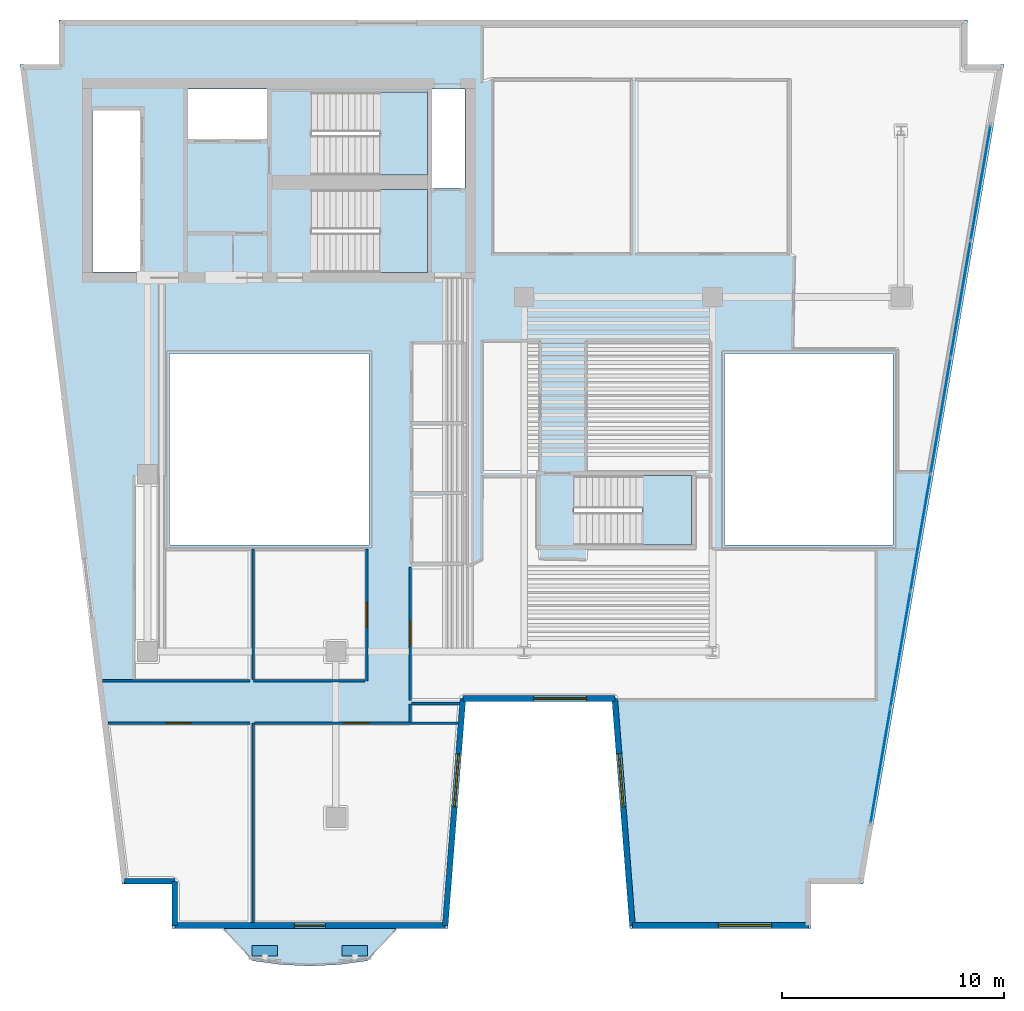
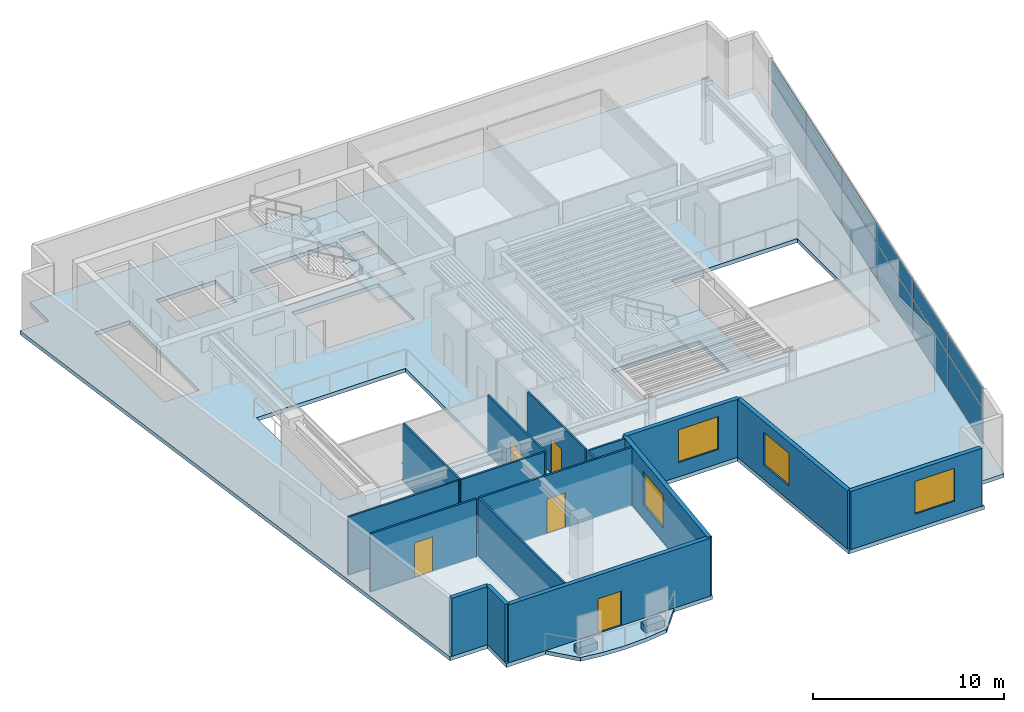
# One storey, part 3 of 9: 17 walls, 14 plates, 5 doors, 5 slabs, 4 windows, 9 openings, 4 elements without a shape of their own.
"""IFC4 building model written with IfcOpenShell, lengths in metres."""

from ifc_helpers import new_model, si_unit, direction, frame, frame_2d, origin, origin_2d, place, context, subcontext, project, spatial, polyline, rectangle, outline, extrude, material, layer, layer_set, type_object, element, fill, aggregate, save


model = new_model("IFC4")

# Units and contexts
model_context = context("Model", 3, precision=1e-05, world=origin(), true_north=direction((0.0, 1.0)))
body_context = subcontext(model_context, "Body", "Model", "MODEL_VIEW")
ifc_project = project(units=[si_unit("LENGTHUNIT", "METRE"), si_unit("AREAUNIT", "SQUARE_METRE"), si_unit("VOLUMEUNIT", "CUBIC_METRE"), si_unit("PLANEANGLEUNIT", "RADIAN"), si_unit("MASSUNIT", "GRAM", prefix="KILO")], contexts=[model_context])

# Site, building, storey
site_placement = place(None, origin())
site = spatial("IfcSite", under=ifc_project, at=site_placement, CompositionType="ELEMENT")
building_placement = place(site_placement, origin())
building = spatial("IfcBuilding", under=site, at=building_placement, Name="Caeloran Harvest Quay", CompositionType="ELEMENT")
storey_placement = place(building_placement, frame((0.0, 0.0, 203.5)))
storey = spatial("IfcBuildingStorey", under=building, at=storey_placement, Name="L48", CompositionType="ELEMENT", Elevation=203.5)

# Slab
ifc_material_1 = material(Name="Concrete C50/60", Category="concrete")
ifc_layer_1 = layer(ifc_material_1, 0.239990234375, Name="Concrete C50/60")
ifc_layer_set_1 = layer_set([ifc_layer_1], Name="Concrete C50/60")
slab_type_1 = type_object("IfcSlabType", Name="BALCONY-BL-240", PredefinedType="FLOOR", material=ifc_layer_set_1)
slab_1_placement = place(storey_placement, frame((0.0, 0.0, -0.239990234375)))
element("IfcSlab", 1, at=slab_1_placement, inside=storey, type_object=slab_type_1, Name="L48 Scalloped Cantilevered Planted Balcony Slab", PredefinedType="FLOOR", context=body_context, shape_type="SweptSolid", body=[
    extrude(outline(polyline([(18.43798828125, 1.04345703125), (17.136474609375, 0.8701171875), (15.834716796875, 0.806884765625), (14.533203125, 0.8701171875), (13.2314453125, 1.04345703125), (11.947509765625, 2.5), (19.72216796875, 2.5), (18.43798828125, 1.04345703125)])), origin(), (0.0, 0.0, 1.0), 0.239990234375),
])

# Curtain wall, plates
ifc_material_2 = material(Name="Aluminium 6063-T6 and Low-E Glazing", Category="aluminium")
ifc_layer_2 = layer(ifc_material_2, 0.2099609375, Name="Aluminium 6063-T6 and Low-E Glazing")
ifc_layer_set_2 = layer_set([ifc_layer_2], Name="Aluminium 6063-T6 and Low-E Glazing")
curtain_wall_type = type_object("IfcCurtainWallType", Name="CW-SYS-CW-4", PredefinedType="USERDEFINED", material=ifc_layer_set_2)
curtain_wall_placement = place(storey_placement, origin())
curtain_wall = element("IfcCurtainWall", 2, at=curtain_wall_placement, inside=storey, type_object=curtain_wall_type, Name="L48 Unitised Curtain Wall CW-4 Run 9", ObjectType="CURTAIN_WALL", PredefinedType="USERDEFINED")
ifc_material_3 = material(Name="Low-E Double Glazed Vision Glass Unit", Category="glass")
ifc_layer_3 = layer(ifc_material_3, 0.035888671875, Name="Low-E Double Glazed Vision Glass Unit")
ifc_layer_set_3 = layer_set([ifc_layer_3], Name="Low-E Double Glazed Vision Glass Unit")
plate_type_1 = type_object("IfcPlateType", Name="CW-VISION-PANEL", PredefinedType="CURTAIN_PANEL", material=ifc_layer_set_3)
plate_1_placement = place(storey_placement, frame((46.105224609375, 36.1533203125, 0.080078125), z_axis=(0.0, 0.0, 1.0), x_axis=(-0.169392351048, -0.985548695604, 0.0)))
plate_1 = element("IfcPlate", 3, at=plate_1_placement, type_object=plate_type_1, Name="CW-4 panel 1.1", PredefinedType="CURTAIN_PANEL", context=body_context, shape_type="SweptSolid", body=[
    extrude(rectangle(XDim=5.2265625, YDim=0.035888671875, at=origin_2d()), origin(), (0.0, 0.0, 1.0), 2.280029296875),
])
plate_2_placement = place(storey_placement, frame((46.105224609375, 36.1533203125, 2.43994140625), z_axis=(0.0, 0.0, 1.0), x_axis=(-0.169392351048, -0.985548695604, 0.0)))
plate_2 = element("IfcPlate", 4, at=plate_2_placement, type_object=plate_type_1, Name="CW-4 panel 1.2", PredefinedType="CURTAIN_PANEL", context=body_context, shape_type="SweptSolid", body=[
    extrude(rectangle(XDim=5.2265625, YDim=0.035888671875, at=origin_2d()), origin(), (0.0, 0.0, 1.0), 1.179931640625),
])
plate_3_placement = place(storey_placement, frame((45.203125, 30.90380859375, 0.080078125), z_axis=(0.0, 0.0, 1.0), x_axis=(-0.169392351048, -0.985548695604, 0.0)))
plate_3 = element("IfcPlate", 5, at=plate_3_placement, type_object=plate_type_1, Name="CW-4 panel 2.1", PredefinedType="CURTAIN_PANEL", context=body_context, shape_type="SweptSolid", body=[
    extrude(rectangle(XDim=5.266357421875, YDim=0.035888671875, at=origin_2d()), origin(), (0.0, 0.0, 1.0), 2.280029296875),
])
plate_4_placement = place(storey_placement, frame((45.203125, 30.90380859375, 2.43994140625), z_axis=(0.0, 0.0, 1.0), x_axis=(-0.169392351048, -0.985548695604, 0.0)))
plate_4 = element("IfcPlate", 6, at=plate_4_placement, type_object=plate_type_1, Name="CW-4 panel 2.2", PredefinedType="CURTAIN_PANEL", context=body_context, shape_type="SweptSolid", body=[
    extrude(rectangle(XDim=5.266357421875, YDim=0.035888671875, at=origin_2d()), origin(), (0.0, 0.0, 1.0), 1.179931640625),
])
plate_5_placement = place(storey_placement, frame((44.29736328125, 25.634521484375, 0.080078125), z_axis=(0.0, 0.0, 1.0), x_axis=(-0.169392351048, -0.985548695604, 0.0)))
plate_5 = element("IfcPlate", 7, at=plate_5_placement, type_object=plate_type_1, Name="CW-4 panel 3.1", PredefinedType="CURTAIN_PANEL", context=body_context, shape_type="SweptSolid", body=[
    extrude(rectangle(XDim=5.266357421875, YDim=0.035888671875, at=origin_2d()), origin(), (0.0, 0.0, 1.0), 2.280029296875),
])
plate_6_placement = place(storey_placement, frame((44.29736328125, 25.634521484375, 2.43994140625), z_axis=(0.0, 0.0, 1.0), x_axis=(-0.169392351048, -0.985548695604, 0.0)))
plate_6 = element("IfcPlate", 8, at=plate_6_placement, type_object=plate_type_1, Name="CW-4 panel 3.2", PredefinedType="CURTAIN_PANEL", context=body_context, shape_type="SweptSolid", body=[
    extrude(rectangle(XDim=5.266357421875, YDim=0.035888671875, at=origin_2d()), origin(), (0.0, 0.0, 1.0), 1.179931640625),
])
plate_7_placement = place(storey_placement, frame((43.391845703125, 20.365478515625, 0.080078125), z_axis=(0.0, 0.0, 1.0), x_axis=(-0.169392351048, -0.985548695604, 0.0)))
plate_7 = element("IfcPlate", 9, at=plate_7_placement, type_object=plate_type_1, Name="CW-4 panel 4.1", PredefinedType="CURTAIN_PANEL", context=body_context, shape_type="SweptSolid", body=[
    extrude(rectangle(XDim=5.266357421875, YDim=0.035888671875, at=origin_2d()), origin(), (0.0, 0.0, 1.0), 2.280029296875),
])
plate_8_placement = place(storey_placement, frame((43.391845703125, 20.365478515625, 2.43994140625), z_axis=(0.0, 0.0, 1.0), x_axis=(-0.169392351048, -0.985548695604, 0.0)))
plate_8 = element("IfcPlate", 10, at=plate_8_placement, type_object=plate_type_1, Name="CW-4 panel 4.2", PredefinedType="CURTAIN_PANEL", context=body_context, shape_type="SweptSolid", body=[
    extrude(rectangle(XDim=5.266357421875, YDim=0.035888671875, at=origin_2d()), origin(), (0.0, 0.0, 1.0), 1.179931640625),
])
plate_9_placement = place(storey_placement, frame((42.486083984375, 15.09619140625, 0.080078125), z_axis=(0.0, 0.0, 1.0), x_axis=(-0.169392351048, -0.985548695604, 0.0)))
plate_9 = element("IfcPlate", 11, at=plate_9_placement, type_object=plate_type_1, Name="CW-4 panel 5.1", PredefinedType="CURTAIN_PANEL", context=body_context, shape_type="SweptSolid", body=[
    extrude(rectangle(XDim=5.266357421875, YDim=0.035888671875, at=origin_2d()), origin(), (0.0, 0.0, 1.0), 2.280029296875),
])
plate_10_placement = place(storey_placement, frame((42.486083984375, 15.09619140625, 2.43994140625), z_axis=(0.0, 0.0, 1.0), x_axis=(-0.169392351048, -0.985548695604, 0.0)))
plate_10 = element("IfcPlate", 12, at=plate_10_placement, type_object=plate_type_1, Name="CW-4 panel 5.2", PredefinedType="CURTAIN_PANEL", context=body_context, shape_type="SweptSolid", body=[
    extrude(rectangle(XDim=5.266357421875, YDim=0.035888671875, at=origin_2d()), origin(), (0.0, 0.0, 1.0), 1.179931640625),
])
plate_11_placement = place(storey_placement, frame((41.583740234375, 9.8466796875, 0.080078125), z_axis=(0.0, 0.0, 1.0), x_axis=(-0.169392351048, -0.985548695604, 0.0)))
plate_11 = element("IfcPlate", 13, at=plate_11_placement, type_object=plate_type_1, Name="CW-4 panel 6.1", PredefinedType="CURTAIN_PANEL", context=body_context, shape_type="SweptSolid", body=[
    extrude(rectangle(XDim=5.2265625, YDim=0.035888671875, at=origin_2d()), origin(), (0.0, 0.0, 1.0), 2.280029296875),
])
plate_12_placement = place(storey_placement, frame((41.583740234375, 9.8466796875, 2.43994140625), z_axis=(0.0, 0.0, 1.0), x_axis=(-0.169392351048, -0.985548695604, 0.0)))
plate_12 = element("IfcPlate", 14, at=plate_12_placement, type_object=plate_type_1, Name="CW-4 panel 6.2", PredefinedType="CURTAIN_PANEL", context=body_context, shape_type="SweptSolid", body=[
    extrude(rectangle(XDim=5.2265625, YDim=0.035888671875, at=origin_2d()), origin(), (0.0, 0.0, 1.0), 1.179931640625),
])
aggregate(curtain_wall, [plate_1, plate_2, plate_3, plate_4, plate_5, plate_6, plate_7, plate_8, plate_9, plate_10, plate_11, plate_12])

# Plates
ifc_material_4 = material(Name="Precast concrete C50/60", Category="concrete")
ifc_layer_4 = layer(ifc_material_4, 0.449951171875, Name="Precast concrete C50/60")
ifc_layer_set_4 = layer_set([ifc_layer_4], Name="Precast concrete C50/60")
plate_type_2 = type_object("IfcPlateType", Name="PLANTER-TROUGH-450", PredefinedType="USERDEFINED", material=ifc_layer_set_4)
for number, where, z_axis, x_axis, name in (
    (15, (17.865478515625, 1.49951171875, 0.0), (0.0, 0.0, 1.0), (1.0, 0.0, 0.0), "L48 Balcony Vertical-Greenery Precast PLANTER Trough 1"),
    (16, (13.80419921875, 1.49951171875, 0.0), (0.0, 0.0, 1.0), (1.0, 0.0, 0.0), "L48 Balcony Vertical-Greenery Precast PLANTER Trough 2"),
):
    element("IfcPlate", number, at=place(storey_placement, frame(where, z_axis=z_axis, x_axis=x_axis)), inside=storey, type_object=plate_type_2, Name=name, ObjectType="PLANTER", PredefinedType="USERDEFINED", context=body_context, shape_type="SweptSolid", body=[
        extrude(rectangle(XDim=1.14990234375, YDim=0.47998046875, at=origin_2d()), origin(), (0.0, 0.0, 1.0), 0.449951171875),
    ])

# Slab
ifc_layer_5 = layer(ifc_material_1, 0.25, Name="Concrete C50/60")
ifc_layer_set_5 = layer_set([ifc_layer_5], Name="Concrete C50/60")
slab_type_2 = type_object("IfcSlabType", Name="SLAB-FS-250", PredefinedType="FLOOR", material=ifc_layer_set_5)
slab_2_placement = place(storey_placement, frame((0.0, 0.0, -0.25)))
element("IfcSlab", 17, at=slab_2_placement, inside=storey, type_object=slab_type_2, Name="L48 Structural Floor Slab", PredefinedType="FLOOR", context=body_context, shape_type="SweptSolid", body=[
    extrude(outline(polyline([(9.60302734375, 2.5), (22.056884765625, 2.5), (22.85693359375, 12.75), (29.469482421875, 12.75), (30.26953125, 2.5), (38.452880859375, 2.5), (38.452880859375, 4.5), (40.796875, 4.5), (47.15625, 41.5), (45.5, 41.5), (45.5, 43.5), (4.5, 43.5), (4.5, 41.5), (2.748779296875, 41.5), (7.35400390625, 4.5), (9.60302734375, 4.5), (9.60302734375, 2.5)]), holes=[polyline([(27.75, 19.800048828125), (27.75, 22.949951171875), (33.050048828125, 22.949951171875), (33.050048828125, 19.800048828125), (27.75, 19.800048828125)]), polyline([(18.5, 19.800048828125), (9.5, 19.800048828125), (9.5, 28.449951171875), (18.5, 28.449951171875), (18.5, 19.800048828125)]), polyline([(42.14990234375, 19.800048828125), (34.550048828125, 19.800048828125), (34.550048828125, 28.449951171875), (42.14990234375, 28.449951171875), (42.14990234375, 19.800048828125)]), polyline([(15.89990234375, 32.10009765625), (15.89990234375, 35.85009765625), (21.14990234375, 35.85009765625), (21.14990234375, 32.10009765625), (15.89990234375, 32.10009765625)]), polyline([(8.159912109375, 32.1201171875), (6.02001953125, 32.1201171875), (6.02001953125, 39.419921875), (8.159912109375, 39.419921875), (8.159912109375, 32.1201171875)]), polyline([(22.830078125, 35.919921875), (21.35009765625, 35.919921875), (21.35009765625, 40.3798828125), (22.830078125, 40.3798828125), (22.830078125, 35.919921875)]), polyline([(15.89990234375, 36.5), (15.89990234375, 40.25), (21.14990234375, 40.25), (21.14990234375, 36.5), (15.89990234375, 36.5)]), polyline([(13.89990234375, 38.1201171875), (10.320068359375, 38.1201171875), (10.320068359375, 40.3798828125), (13.89990234375, 40.3798828125), (13.89990234375, 38.1201171875)])]), origin(), (0.0, 0.0, 1.0), 0.25),
])

# Stair, slab
stair_type_1 = type_object("IfcStairType", Name="STAIR-STC-180", PredefinedType="HALF_TURN_STAIR", material=ifc_material_1)
stair_1_placement = place(storey_placement, origin())
stair_1 = element("IfcStair", 18, at=stair_1_placement, inside=storey, type_object=stair_type_1, Name="L48 Core Pressurized Exit Stair ST-C1", PredefinedType="HALF_TURN_STAIR")
ifc_layer_6 = layer(ifc_material_1, 0.219970703125, Name="Concrete C50/60")
ifc_layer_set_6 = layer_set([ifc_layer_6], Name="Concrete C50/60")
slab_type_3 = type_object("IfcSlabType", Name="STAIR-LANDING-220", PredefinedType="LANDING", material=ifc_layer_set_6)
slab_3_placement = place(storey_placement, frame((0.0, 0.0, 1.77490234375)))
slab_3 = element("IfcSlab", 19, at=slab_3_placement, type_object=slab_type_3, Name="ST-C1 landing 1", PredefinedType="LANDING", context=body_context, shape_type="SweptSolid", body=[
    extrude(outline(polyline([(18.97998046875, 36.5), (21.14990234375, 36.5), (21.14990234375, 40.25), (18.97998046875, 40.25), (18.97998046875, 36.5)])), origin(), (0.0, 0.0, 1.0), 0.2001953125),
])
aggregate(stair_1, [slab_3])

stair_2_placement = place(storey_placement, origin())
stair_2 = element("IfcStair", 20, at=stair_2_placement, inside=storey, type_object=stair_type_1, Name="L48 Core Pressurized Exit Stair ST-C2", PredefinedType="HALF_TURN_STAIR")
slab_4_placement = place(storey_placement, frame((0.0, 0.0, 1.77490234375)))
slab_4 = element("IfcSlab", 21, at=slab_4_placement, type_object=slab_type_3, Name="ST-C2 landing 1", PredefinedType="LANDING", context=body_context, shape_type="SweptSolid", body=[
    extrude(outline(polyline([(18.97998046875, 32.10009765625), (21.14990234375, 32.10009765625), (21.14990234375, 35.85009765625), (18.97998046875, 35.85009765625), (18.97998046875, 32.10009765625)])), origin(), (0.0, 0.0, 1.0), 0.2001953125),
])
aggregate(stair_2, [slab_4])

stair_type_2 = type_object("IfcStairType", Name="STAIR-STW-150", PredefinedType="HALF_TURN_STAIR", material=ifc_material_1)
stair_3_placement = place(storey_placement, origin())
stair_3 = element("IfcStair", 22, at=stair_3_placement, inside=storey, type_object=stair_type_2, Name="L48 East Wing Protected Exit Stair ST-W1", PredefinedType="HALF_TURN_STAIR")
slab_5_placement = place(storey_placement, frame((0.0, 0.0, 1.77490234375)))
slab_5 = element("IfcSlab", 23, at=slab_5_placement, type_object=slab_type_3, Name="ST-W1 landing 1", PredefinedType="LANDING", context=body_context, shape_type="SweptSolid", body=[
    extrude(outline(polyline([(30.830078125, 19.800048828125), (33.050048828125, 19.800048828125), (33.050048828125, 22.949951171875), (30.830078125, 22.949951171875), (30.830078125, 19.800048828125)])), origin(), (0.0, 0.0, 1.0), 0.2001953125),
])
aggregate(stair_3, [slab_5])

# Walls
ifc_layer_7 = layer(ifc_material_4, 0.260009765625, Name="Precast concrete C50/60")
ifc_layer_set_7 = layer_set([ifc_layer_7], Name="Precast concrete C50/60")
wall_type_1 = type_object("IfcWallType", Name="ENV-WALL-EW-260", PredefinedType="STANDARD", material=ifc_layer_set_7)
wall_1_placement = place(storey_placement, frame((9.73291015625, 2.6298828125, 0.0), z_axis=(0.0, 0.0, 1.0), x_axis=(0.0, 1.0, 0.0)))
element("IfcWall", 24, at=wall_1_placement, inside=storey, type_object=wall_type_1, Name="L48 Exterior Precast Concrete Facade Wall 1", PredefinedType="STANDARD", context=body_context, shape_type="SweptSolid", body=[
    extrude(rectangle(XDim=2.0, YDim=0.260009765625, at=frame_2d((1.0, 0.0))), origin(), (0.0, 0.0, 1.0), 3.699951171875),
])
wall_2_placement = place(storey_placement, frame((9.73291015625, 4.6298828125, 0.0), z_axis=(0.0, 0.0, 1.0), x_axis=(-1.0, 0.0, 0.0)))
element("IfcWall", 25, at=wall_2_placement, inside=storey, type_object=wall_type_1, Name="L48 Exterior Precast Concrete Facade Wall 2", PredefinedType="STANDARD", context=body_context, shape_type="SweptSolid", body=[
    extrude(rectangle(XDim=2.263916015625, YDim=0.260009765625, at=frame_2d((1.1318359375, 0.0))), origin(), (0.0, 0.0, 1.0), 3.699951171875),
])

# Wall, opening, window
wall_3_placement = place(storey_placement, frame((38.322998046875, 2.6298828125, 0.0), z_axis=(0.0, 0.0, 1.0), x_axis=(-1.0, 0.0, 0.0)))
wall_3 = element("IfcWall", 26, at=wall_3_placement, inside=storey, type_object=wall_type_1, Name="L48 Exterior Precast Concrete Facade Wall 12", PredefinedType="STANDARD", context=body_context, shape_type="SweptSolid", body=[
    extrude(rectangle(XDim=7.933349609375, YDim=0.260009765625, at=frame_2d((3.966796875, 0.0))), origin(), (0.0, 0.0, 1.0), 3.699951171875),
])
opening_1_placement = place(wall_3_placement, frame((1.656005859375, 0.0, 0.89990234375)))
opening_1 = element("IfcOpeningElement", 27, at=opening_1_placement, cuts=wall_3, Name="Opening W-02", PredefinedType="OPENING", context=body_context, shape_type="SweptSolid", body=[
    extrude(rectangle(XDim=2.39990234375, YDim=2.10009765625, at=frame_2d((1.199951171875, 1.050048828125))), frame((0.0, 0.14013671875, 0.0), z_axis=(0.0, -1.0, 0.0), x_axis=(1.0, 0.0, 0.0)), (0.0, 0.0, 1.0), 0.280029296875),
])
ifc_material_5 = material(Name="Aluminium-Framed Low-E Laminated Glass", Category="aluminium")
window_type = type_object("IfcWindowType", Name="WIN-W-02", PartitioningType="DOUBLE_PANEL_VERTICAL", PredefinedType="WINDOW", material=ifc_material_5)
window_1_placement = place(opening_1_placement, origin())
window_1 = element("IfcWindow", 28, at=window_1_placement, inside=storey, type_object=window_type, Name="L48 Facade Punched Window W-02", OverallHeight=2.10009765625, OverallWidth=2.39990234375, PartitioningType="DOUBLE_PANEL_VERTICAL", PredefinedType="WINDOW", context=body_context, shape_type="SweptSolid", body=[
    extrude(rectangle(XDim=2.39990234375, YDim=2.10009765625, at=frame_2d((1.199951171875, 1.050048828125))), frame((0.0, 0.030029296875, 0.0), z_axis=(0.0, -1.0, 0.0), x_axis=(1.0, 0.0, 0.0)), (0.0, 0.0, 1.0), 0.06005859375),
])
fill(opening_1, window_1)

wall_4_placement = place(storey_placement, frame((30.3896484375, 2.6298828125, 0.0), z_axis=(0.0, 0.0, 1.0), x_axis=(-0.077816860153, 0.996967670627, 0.0)))
wall_4 = element("IfcWall", 29, at=wall_4_placement, inside=storey, type_object=wall_type_1, Name="L48 Exterior Precast Concrete Facade Wall 13", PredefinedType="STANDARD", context=body_context, shape_type="SweptSolid", body=[
    extrude(rectangle(XDim=10.28125, YDim=0.260009765625, at=frame_2d((5.140625, 0.0))), origin(), (0.0, 0.0, 1.0), 3.699951171875),
])
opening_2_placement = place(wall_4_placement, frame((5.3798828125, 0.0, 0.89990234375)))
opening_2 = element("IfcOpeningElement", 30, at=opening_2_placement, cuts=wall_4, Name="Opening W-02", PredefinedType="OPENING", context=body_context, shape_type="SweptSolid", body=[
    extrude(rectangle(XDim=2.39990234375, YDim=2.10009765625, at=frame_2d((1.199951171875, 1.050048828125))), frame((0.0, 0.14013671875, 0.0), z_axis=(0.0, -1.0, 0.0), x_axis=(1.0, 0.0, 0.0)), (0.0, 0.0, 1.0), 0.280029296875),
])
window_2_placement = place(opening_2_placement, origin())
window_2 = element("IfcWindow", 31, at=window_2_placement, inside=storey, type_object=window_type, Name="L48 Facade Punched Window W-02", OverallHeight=2.10009765625, OverallWidth=2.39990234375, PartitioningType="DOUBLE_PANEL_VERTICAL", PredefinedType="WINDOW", context=body_context, shape_type="SweptSolid", body=[
    extrude(rectangle(XDim=2.39990234375, YDim=2.10009765625, at=frame_2d((1.199951171875, 1.050048828125))), frame((0.0, 0.030029296875, 0.0), z_axis=(0.0, -1.0, 0.0), x_axis=(1.0, 0.0, 0.0)), (0.0, 0.0, 1.0), 0.06005859375),
])
fill(opening_2, window_2)

wall_5_placement = place(storey_placement, frame((29.589599609375, 12.8798828125, 0.0), z_axis=(0.0, 0.0, 1.0), x_axis=(-1.0, 0.0, 0.0)))
wall_5 = element("IfcWall", 32, at=wall_5_placement, inside=storey, type_object=wall_type_1, Name="L48 Exterior Precast Concrete Facade Wall 14", PredefinedType="STANDARD", context=body_context, shape_type="SweptSolid", body=[
    extrude(rectangle(XDim=6.852783203125, YDim=0.260009765625, at=frame_2d((3.42626953125, 0.0))), origin(), (0.0, 0.0, 1.0), 3.699951171875),
])
opening_3_placement = place(wall_5_placement, frame((1.26708984375, 0.0, 0.89990234375)))
opening_3 = element("IfcOpeningElement", 33, at=opening_3_placement, cuts=wall_5, Name="Opening W-02", PredefinedType="OPENING", context=body_context, shape_type="SweptSolid", body=[
    extrude(rectangle(XDim=2.39990234375, YDim=2.10009765625, at=frame_2d((1.199951171875, 1.050048828125))), frame((0.0, 0.14013671875, 0.0), z_axis=(0.0, -1.0, 0.0), x_axis=(1.0, 0.0, 0.0)), (0.0, 0.0, 1.0), 0.280029296875),
])
window_3_placement = place(opening_3_placement, origin())
window_3 = element("IfcWindow", 34, at=window_3_placement, inside=storey, type_object=window_type, Name="L48 Facade Punched Window W-02", OverallHeight=2.10009765625, OverallWidth=2.39990234375, PartitioningType="DOUBLE_PANEL_VERTICAL", PredefinedType="WINDOW", context=body_context, shape_type="SweptSolid", body=[
    extrude(rectangle(XDim=2.39990234375, YDim=2.10009765625, at=frame_2d((1.199951171875, 1.050048828125))), frame((0.0, 0.030029296875, 0.0), z_axis=(0.0, -1.0, 0.0), x_axis=(1.0, 0.0, 0.0)), (0.0, 0.0, 1.0), 0.06005859375),
])
fill(opening_3, window_3)

wall_6_placement = place(storey_placement, frame((22.73681640625, 12.8798828125, 0.0), z_axis=(0.0, 0.0, 1.0), x_axis=(-0.077816860153, -0.996967670627, 0.0)))
wall_6 = element("IfcWall", 35, at=wall_6_placement, inside=storey, type_object=wall_type_1, Name="L48 Exterior Precast Concrete Facade Wall 15", PredefinedType="STANDARD", context=body_context, shape_type="SweptSolid", body=[
    extrude(rectangle(XDim=10.28125, YDim=0.260009765625, at=frame_2d((5.140625, 0.0))), origin(), (0.0, 0.0, 1.0), 3.699951171875),
])
opening_4_placement = place(wall_6_placement, frame((2.5009765625, 0.0, 0.89990234375)))
opening_4 = element("IfcOpeningElement", 36, at=opening_4_placement, cuts=wall_6, Name="Opening W-02", PredefinedType="OPENING", context=body_context, shape_type="SweptSolid", body=[
    extrude(rectangle(XDim=2.39990234375, YDim=2.10009765625, at=frame_2d((1.199951171875, 1.050048828125))), frame((0.0, 0.14013671875, 0.0), z_axis=(0.0, -1.0, 0.0), x_axis=(1.0, 0.0, 0.0)), (0.0, 0.0, 1.0), 0.280029296875),
])
window_4_placement = place(opening_4_placement, origin())
window_4 = element("IfcWindow", 37, at=window_4_placement, inside=storey, type_object=window_type, Name="L48 Facade Punched Window W-02", OverallHeight=2.10009765625, OverallWidth=2.39990234375, PartitioningType="DOUBLE_PANEL_VERTICAL", PredefinedType="WINDOW", context=body_context, shape_type="SweptSolid", body=[
    extrude(rectangle(XDim=2.39990234375, YDim=2.10009765625, at=frame_2d((1.199951171875, 1.050048828125))), frame((0.0, 0.030029296875, 0.0), z_axis=(0.0, -1.0, 0.0), x_axis=(1.0, 0.0, 0.0)), (0.0, 0.0, 1.0), 0.06005859375),
])
fill(opening_4, window_4)

# Wall, opening, door
wall_7_placement = place(storey_placement, frame((21.936767578125, 2.6298828125, 0.0), z_axis=(0.0, 0.0, 1.0), x_axis=(-1.0, 0.0, 0.0)))
wall_7 = element("IfcWall", 38, at=wall_7_placement, inside=storey, type_object=wall_type_1, Name="L48 Exterior Precast Concrete Facade Wall 16", PredefinedType="STANDARD", context=body_context, shape_type="SweptSolid", body=[
    extrude(rectangle(XDim=12.203857421875, YDim=0.260009765625, at=frame_2d((6.10205078125, 0.0))), origin(), (0.0, 0.0, 1.0), 3.699951171875),
])
opening_5_placement = place(wall_7_placement, frame((5.402099609375, 0.0, 0.0)))
opening_5 = element("IfcOpeningElement", 39, at=opening_5_placement, cuts=wall_7, Name="Opening BD-02", PredefinedType="OPENING", context=body_context, shape_type="SweptSolid", body=[
    extrude(rectangle(XDim=1.39990234375, YDim=2.199951171875, at=frame_2d((0.699951171875, 1.10009765625))), frame((0.0, 0.14013671875, 0.0), z_axis=(0.0, -1.0, 0.0), x_axis=(1.0, 0.0, 0.0)), (0.0, 0.0, 1.0), 0.280029296875),
])
ifc_material_6 = material(Name="Thermally Broken Powder-Coated Aluminium and Safety Glass", Category="aluminium")
door_type_1 = type_object("IfcDoorType", Name="EXTDOOR-BD-02", OperationType="NOTDEFINED", PredefinedType="DOOR", material=ifc_material_6)
door_1_placement = place(opening_5_placement, origin())
door_1 = element("IfcDoor", 40, at=door_1_placement, inside=storey, type_object=door_type_1, Name="L48 Planted Balcony Glazed Access Door", OperationType="SINGLE_SWING_LEFT", OverallHeight=2.199951171875, OverallWidth=1.39990234375, PredefinedType="DOOR", context=body_context, shape_type="SweptSolid", body=[
    extrude(rectangle(XDim=1.39990234375, YDim=2.199951171875, at=frame_2d((0.699951171875, 1.10009765625))), frame((0.0, 0.02490234375, 0.0), z_axis=(0.0, -1.0, 0.0), x_axis=(1.0, 0.0, 0.0)), (0.0, 0.0, 1.0), 0.050048828125),
])
fill(opening_5, door_1)

# Walls
ifc_material_7 = material(Name="Single-Stud Acoustic Gypsum Office Partition", Category="gypsum")
ifc_layer_8 = layer(ifc_material_7, 0.112060546875, Name="Single-Stud Acoustic Gypsum Office Partition")
ifc_layer_set_8 = layer_set([ifc_layer_8], Name="Single-Stud Acoustic Gypsum Office Partition")
wall_type_2 = type_object("IfcWallType", Name="INT-WALL-PW-112", PredefinedType="PARTITIONING", material=ifc_layer_set_8)
wall_8_placement = place(storey_placement, frame((20.35009765625, 11.800048828125, 0.0), z_axis=(0.0, 0.0, 1.0), x_axis=(0.0, 1.0, 0.0)))
element("IfcWall", 41, at=wall_8_placement, inside=storey, type_object=wall_type_2, Name="Green-Bond Investment Office Partition Wall", PredefinedType="PARTITIONING", context=body_context, shape_type="SweptSolid", body=[
    extrude(rectangle(XDim=0.83984375, YDim=0.112060546875, at=frame_2d((0.419921875, 0.0))), origin(), (0.0, 0.0, 1.0), 3.699951171875),
])
wall_9_placement = place(storey_placement, frame((20.410888671875, 12.639892578125, 0.0), z_axis=(0.0, 0.0, 1.0), x_axis=(1.0, 0.0, 0.0)))
element("IfcWall", 42, at=wall_9_placement, inside=storey, type_object=wall_type_2, Name="Green-Bond Investment Office Partition Wall", PredefinedType="PARTITIONING", context=body_context, shape_type="SweptSolid", body=[
    extrude(rectangle(XDim=2.171875, YDim=0.112060546875, at=frame_2d((1.0859375, 0.0))), origin(), (0.0, 0.0, 1.0), 3.699951171875),
])
wall_10_placement = place(storey_placement, frame((13.280029296875, 2.764892578125, 0.0), z_axis=(0.0, 0.0, 1.0), x_axis=(0.0, 1.0, 0.0)))
element("IfcWall", 43, at=wall_10_placement, inside=storey, type_object=wall_type_2, Name="Green-Bond Investment Office Partition Wall", PredefinedType="PARTITIONING", context=body_context, shape_type="SweptSolid", body=[
    extrude(rectangle(XDim=9.005126953125, YDim=0.112060546875, at=frame_2d((4.50244140625, 0.0))), origin(), (0.0, 0.0, 1.0), 3.699951171875),
])

# Wall, opening, door
wall_11_placement = place(storey_placement, frame((13.341064453125, 11.77001953125, 0.0), z_axis=(0.0, 0.0, 1.0), x_axis=(1.0, 0.0, 0.0)))
wall_11 = element("IfcWall", 44, at=wall_11_placement, inside=storey, type_object=wall_type_2, Name="Green-Bond Investment Office Partition Wall", PredefinedType="PARTITIONING", context=body_context, shape_type="SweptSolid", body=[
    extrude(rectangle(XDim=9.173828125, YDim=0.112060546875, at=frame_2d((4.5869140625, 0.0))), origin(), (0.0, 0.0, 1.0), 3.699951171875),
])
opening_6_placement = place(wall_11_placement, frame((4.036865234375, 0.0, 0.0)))
opening_6 = element("IfcOpeningElement", 45, at=opening_6_placement, cuts=wall_11, Name="Opening ID-04", PredefinedType="OPENING", context=body_context, shape_type="SweptSolid", body=[
    extrude(rectangle(XDim=1.10009765625, YDim=2.199951171875, at=frame_2d((0.550048828125, 1.10009765625))), frame((0.0, 0.06591796875, 0.0), z_axis=(0.0, -1.0, 0.0), x_axis=(1.0, 0.0, 0.0)), (0.0, 0.0, 1.0), 0.132080078125),
])
ifc_material_8 = material(Name="Acoustic Walnut Veneer Executive Door", Category="wood")
door_type_2 = type_object("IfcDoorType", Name="INTDOOR-ID-04", OperationType="NOTDEFINED", PredefinedType="DOOR", material=ifc_material_8)
door_2_placement = place(opening_6_placement, origin())
door_2 = element("IfcDoor", 46, at=door_2_placement, inside=storey, type_object=door_type_2, Name="Green-Bond Investment Office Access Door", OperationType="SINGLE_SWING_RIGHT", OverallHeight=2.199951171875, OverallWidth=1.10009765625, PredefinedType="DOOR", context=body_context, shape_type="SweptSolid", body=[
    extrude(rectangle(XDim=1.10009765625, YDim=2.199951171875, at=frame_2d((0.550048828125, 1.10009765625))), frame((0.0, 0.02490234375, 0.0), z_axis=(0.0, -1.0, 0.0), x_axis=(1.0, 0.0, 0.0)), (0.0, 0.0, 1.0), 0.050048828125),
])
fill(opening_6, door_2)

wall_12_placement = place(storey_placement, frame((6.71630859375, 11.77001953125, 0.0), z_axis=(0.0, 0.0, 1.0), x_axis=(1.0, 0.0, 0.0)))
wall_12 = element("IfcWall", 47, at=wall_12_placement, inside=storey, type_object=wall_type_2, Name="ESG Carbon Desk Workspace Partition Wall", PredefinedType="PARTITIONING", context=body_context, shape_type="SweptSolid", body=[
    extrude(rectangle(XDim=6.40380859375, YDim=0.112060546875, at=frame_2d((3.201904296875, 0.0))), origin(), (0.0, 0.0, 1.0), 3.699951171875),
])
opening_7_placement = place(wall_12_placement, frame((2.65185546875, 0.0, 0.0)))
opening_7 = element("IfcOpeningElement", 48, at=opening_7_placement, cuts=wall_12, Name="Opening ID-04", PredefinedType="OPENING", context=body_context, shape_type="SweptSolid", body=[
    extrude(rectangle(XDim=1.10009765625, YDim=2.199951171875, at=frame_2d((0.550048828125, 1.10009765625))), frame((0.0, 0.06591796875, 0.0), z_axis=(0.0, -1.0, 0.0), x_axis=(1.0, 0.0, 0.0)), (0.0, 0.0, 1.0), 0.132080078125),
])
door_3_placement = place(opening_7_placement, origin())
door_3 = element("IfcDoor", 49, at=door_3_placement, inside=storey, type_object=door_type_2, Name="ESG Carbon Desk Workspace Access Door", OperationType="SINGLE_SWING_LEFT", OverallHeight=2.199951171875, OverallWidth=1.10009765625, PredefinedType="DOOR", context=body_context, shape_type="SweptSolid", body=[
    extrude(rectangle(XDim=1.10009765625, YDim=2.199951171875, at=frame_2d((0.550048828125, 1.10009765625))), frame((0.0, 0.02490234375, 0.0), z_axis=(0.0, -1.0, 0.0), x_axis=(1.0, 0.0, 0.0)), (0.0, 0.0, 1.0), 0.050048828125),
])
fill(opening_7, door_3)

wall_13_placement = place(storey_placement, frame((20.35009765625, 12.800048828125, 0.0), z_axis=(0.0, 0.0, 1.0), x_axis=(0.0, 1.0, 0.0)))
wall_13 = element("IfcWall", 50, at=wall_13_placement, inside=storey, type_object=wall_type_2, Name="Corporate Legal Counsel Office Partition Wall", PredefinedType="PARTITIONING", context=body_context, shape_type="SweptSolid", body=[
    extrude(rectangle(XDim=6.010009765625, YDim=0.112060546875, at=frame_2d((3.0048828125, 0.0))), origin(), (0.0, 0.0, 1.0), 3.699951171875),
])
opening_8_placement = place(wall_13_placement, frame((2.455078125, 0.0, 0.0)))
opening_8 = element("IfcOpeningElement", 51, at=opening_8_placement, cuts=wall_13, Name="Opening ID-04", PredefinedType="OPENING", context=body_context, shape_type="SweptSolid", body=[
    extrude(rectangle(XDim=1.10009765625, YDim=2.199951171875, at=frame_2d((0.550048828125, 1.10009765625))), frame((0.0, 0.06591796875, 0.0), z_axis=(0.0, -1.0, 0.0), x_axis=(1.0, 0.0, 0.0)), (0.0, 0.0, 1.0), 0.132080078125),
])
door_4_placement = place(opening_8_placement, origin())
door_4 = element("IfcDoor", 52, at=door_4_placement, inside=storey, type_object=door_type_2, Name="Corporate Legal Counsel Office Access Door", OperationType="SINGLE_SWING_RIGHT", OverallHeight=2.199951171875, OverallWidth=1.10009765625, PredefinedType="DOOR", context=body_context, shape_type="SweptSolid", body=[
    extrude(rectangle(XDim=1.10009765625, YDim=2.199951171875, at=frame_2d((0.550048828125, 1.10009765625))), frame((0.0, 0.02490234375, 0.0), z_axis=(0.0, -1.0, 0.0), x_axis=(1.0, 0.0, 0.0)), (0.0, 0.0, 1.0), 0.050048828125),
])
fill(opening_8, door_4)

wall_14_placement = place(storey_placement, frame((18.389892578125, 19.6201171875, 0.0), z_axis=(0.0, 0.0, 1.0), x_axis=(0.0, -1.0, 0.0)))
wall_14 = element("IfcWall", 53, at=wall_14_placement, inside=storey, type_object=wall_type_2, Name="Executive Partner Office Partition Wall", PredefinedType="PARTITIONING", context=body_context, shape_type="SweptSolid", body=[
    extrude(rectangle(XDim=5.940185546875, YDim=0.112060546875, at=frame_2d((2.97021484375, 0.0))), origin(), (0.0, 0.0, 1.0), 3.699951171875),
])
opening_9_placement = place(wall_14_placement, frame((2.419921875, 0.0, 0.0)))
opening_9 = element("IfcOpeningElement", 54, at=opening_9_placement, cuts=wall_14, Name="Opening ID-04", PredefinedType="OPENING", context=body_context, shape_type="SweptSolid", body=[
    extrude(rectangle(XDim=1.10009765625, YDim=2.199951171875, at=frame_2d((0.550048828125, 1.10009765625))), frame((0.0, 0.06591796875, 0.0), z_axis=(0.0, -1.0, 0.0), x_axis=(1.0, 0.0, 0.0)), (0.0, 0.0, 1.0), 0.132080078125),
])
door_5_placement = place(opening_9_placement, origin())
door_5 = element("IfcDoor", 55, at=door_5_placement, inside=storey, type_object=door_type_2, Name="Executive Partner Office Access Door", OperationType="SINGLE_SWING_LEFT", OverallHeight=2.199951171875, OverallWidth=1.10009765625, PredefinedType="DOOR", context=body_context, shape_type="SweptSolid", body=[
    extrude(rectangle(XDim=1.10009765625, YDim=2.199951171875, at=frame_2d((0.550048828125, 1.10009765625))), frame((0.0, 0.02490234375, 0.0), z_axis=(0.0, -1.0, 0.0), x_axis=(1.0, 0.0, 0.0)), (0.0, 0.0, 1.0), 0.050048828125),
])
fill(opening_9, door_5)

# Walls
wall_15_placement = place(storey_placement, frame((18.3291015625, 13.679931640625, 0.0), z_axis=(0.0, 0.0, 1.0), x_axis=(-1.0, 0.0, 0.0)))
element("IfcWall", 56, at=wall_15_placement, inside=storey, type_object=wall_type_2, Name="Executive Partner Office Partition Wall", PredefinedType="PARTITIONING", context=body_context, shape_type="SweptSolid", body=[
    extrude(rectangle(XDim=5.049072265625, YDim=0.112060546875, at=frame_2d((2.5244140625, 0.0))), origin(), (0.0, 0.0, 1.0), 3.699951171875),
])
wall_16_placement = place(storey_placement, frame((13.280029296875, 13.740966796875, 0.0), z_axis=(0.0, 0.0, 1.0), x_axis=(0.0, 1.0, 0.0)))
element("IfcWall", 57, at=wall_16_placement, inside=storey, type_object=wall_type_2, Name="Executive Partner Office Partition Wall", PredefinedType="PARTITIONING", context=body_context, shape_type="SweptSolid", body=[
    extrude(rectangle(XDim=5.879150390625, YDim=0.112060546875, at=frame_2d((2.939453125, 0.0))), origin(), (0.0, 0.0, 1.0), 3.699951171875),
])
wall_17_placement = place(storey_placement, frame((13.1201171875, 13.679931640625, 0.0), z_axis=(0.0, 0.0, 1.0), x_axis=(-1.0, 0.0, 0.0)))
element("IfcWall", 58, at=wall_17_placement, inside=storey, type_object=wall_type_2, Name="Client Pitch Conference Room Partition Wall", PredefinedType="PARTITIONING", context=body_context, shape_type="SweptSolid", body=[
    extrude(rectangle(XDim=6.6416015625, YDim=0.112060546875, at=frame_2d((3.32080078125, 0.0))), origin(), (0.0, 0.0, 1.0), 3.699951171875),
])

save(model, "model.ifc")
